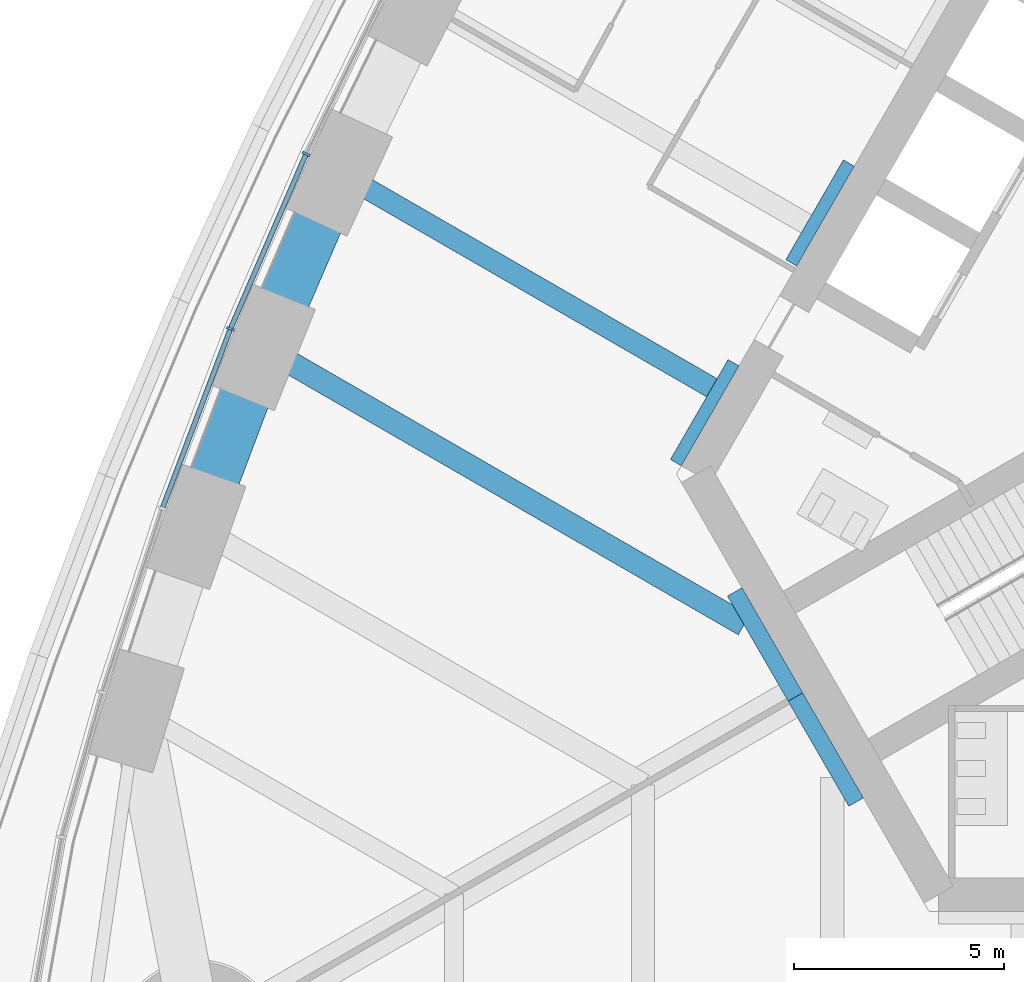
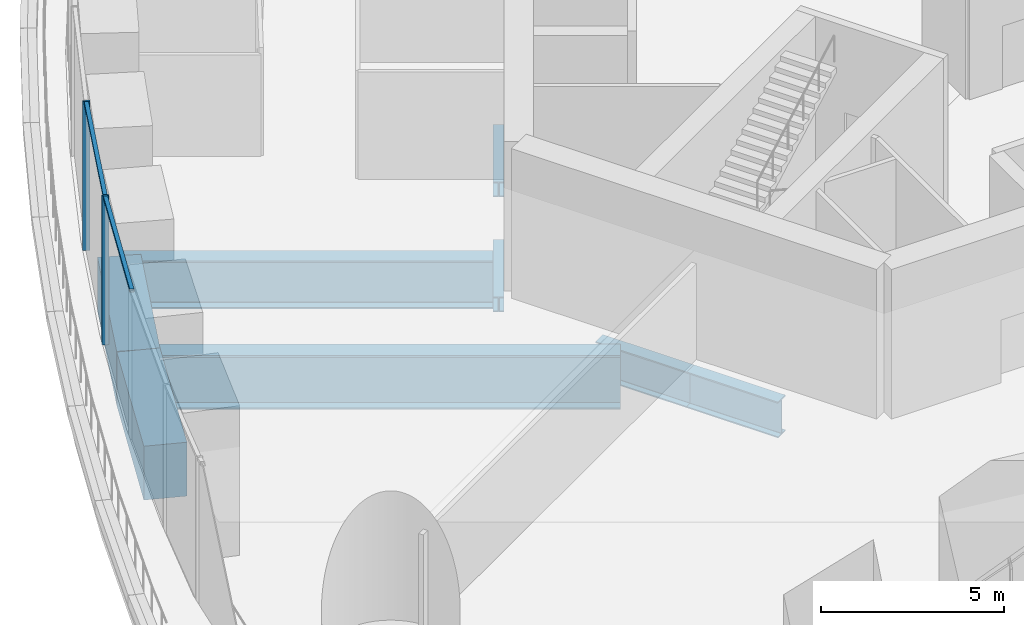
# One storey, part 3 of 31: 8 beams, 4 members, 1 element without a shape of its own.
"""IFC4 building model written with IfcOpenShell, lengths in metres."""

from ifc_helpers import new_model, si_unit, direction, frame, origin, origin_2d, place, context, subcontext, project, spatial, rectangle, i_section, extrude, material, material_profile, profile_set, type_object, element, aggregate, save


model = new_model("IFC4")

# Units and contexts
model_context = context("Model", 3, precision=1e-05, world=origin(), true_north=direction((0.0, 1.0)))
body_context = subcontext(model_context, "Body", "Model", "MODEL_VIEW")
ifc_project = project(units=[si_unit("LENGTHUNIT", "METRE"), si_unit("AREAUNIT", "SQUARE_METRE"), si_unit("VOLUMEUNIT", "CUBIC_METRE"), si_unit("PLANEANGLEUNIT", "RADIAN"), si_unit("MASSUNIT", "GRAM", prefix="KILO")], contexts=[model_context])

# Site, building, storey
site_placement = place(None, origin())
site = spatial("IfcSite", under=ifc_project, at=site_placement, CompositionType="ELEMENT")
building_placement = place(site_placement, origin())
building = spatial("IfcBuilding", under=site, at=building_placement, Name="Trefoil Bronze Tower", CompositionType="ELEMENT")
storey_placement = place(building_placement, frame((0.0, 0.0, 184.699951171875)))
storey = spatial("IfcBuildingStorey", under=building, at=storey_placement, Name="L42", CompositionType="ELEMENT", Elevation=184.699951171875)

# Curtain wall, members
ifc_material_1 = material(Name="Tinted solar-control glass", Category="glass")
curtain_wall_type = type_object("IfcCurtainWallType", Name="Bronze sky lobby curtain wall", PredefinedType="USERDEFINED", material=ifc_material_1)
curtain_wall_placement = place(storey_placement, origin())
curtain_wall = element("IfcCurtainWall", 1, at=curtain_wall_placement, inside=storey, type_object=curtain_wall_type, Name="CW-D L42 F3 run 3", ObjectType="CURTAIN WALL", PredefinedType="USERDEFINED")
ifc_material_2 = material(Name="Bronze-finish aluminium", Category="aluminium")
ifc_material_profile_1 = material_profile(ifc_material_2, rectangle(XDim=0.199951171875, YDim=0.06005859375, at=origin_2d()), Name="CW-D mullion")
ifc_profile_set_1 = profile_set([ifc_material_profile_1], Name="Bronze-finish aluminium")
member_type_1 = type_object("IfcMemberType", Name="Bronze sky lobby curtain wall mullion", PredefinedType="MULLION", material=ifc_profile_set_1)
member_1_placement = place(storey_placement, frame((-26.01318359375, 4.61572265625, 0.0), z_axis=(0.0, 0.0, 1.0), x_axis=(0.908315380354, -0.418285990457, 0.0)))
member_1 = element("IfcMember", 2, at=member_1_placement, type_object=member_type_1, Name="CW-D L42 F3 run 3 mullion 2", PredefinedType="MULLION", context=body_context, shape_type="SweptSolid", body=[
    extrude(rectangle(XDim=0.199951171875, YDim=0.06005859375, at=origin_2d()), origin(), (0.0, 0.0, 1.0), 4.97998046875),
])
member_2_placement = place(storey_placement, frame((-27.814453125, 0.454345703125, 0.0), z_axis=(0.0, 0.0, 1.0), x_axis=(0.926689348282, -0.375828221106, 0.0)))
member_2 = element("IfcMember", 3, at=member_2_placement, type_object=member_type_1, Name="CW-D L42 F3 run 3 mullion 3", PredefinedType="MULLION", context=body_context, shape_type="SweptSolid", body=[
    extrude(rectangle(XDim=0.199951171875, YDim=0.06005859375, at=origin_2d()), origin(), (0.0, 0.0, 1.0), 4.97998046875),
])
ifc_material_3 = material(Name="Bronze-finish aluminium", Category="aluminium")
ifc_material_profile_2 = material_profile(ifc_material_3, rectangle(XDim=0.1201171875, YDim=0.10009765625, at=origin_2d()), Name="CW-D transom")
ifc_profile_set_2 = profile_set([ifc_material_profile_2], Name="Bronze-finish aluminium")
member_type_2 = type_object("IfcMemberType", Name="Bronze sky lobby curtain wall transom", PredefinedType="USERDEFINED", material=ifc_profile_set_2)
member_3_placement = place(storey_placement, frame((-26.026123046875, 4.586181640625, 4.929931640625), z_axis=(-0.397179751829, -0.917740837457, 0.0), x_axis=(0.917740837457, -0.397179751829, 0.0)))
member_3 = element("IfcMember", 4, at=member_3_placement, type_object=member_type_2, Name="CW-D L42 F3 run 3 transom 2", ObjectType="TRANSOM", PredefinedType="USERDEFINED", context=body_context, shape_type="SweptSolid", body=[
    extrude(rectangle(XDim=0.1201171875, YDim=0.10009765625, at=origin_2d()), origin(), (0.0, 0.0, 1.0), 4.469970703125),
])
member_4_placement = place(storey_placement, frame((-27.825927734375, 0.424072265625, 4.929931640625), z_axis=(-0.354225624615, -0.935159989984, 0.0), x_axis=(0.935159989984, -0.354225624615, 0.0)))
member_4 = element("IfcMember", 5, at=member_4_placement, type_object=member_type_2, Name="CW-D L42 F3 run 3 transom 3", ObjectType="TRANSOM", PredefinedType="USERDEFINED", context=body_context, shape_type="SweptSolid", body=[
    extrude(rectangle(XDim=0.1201171875, YDim=0.10009765625, at=origin_2d()), origin(), (0.0, 0.0, 1.0), 4.499267578125),
])
aggregate(curtain_wall, [member_1, member_2, member_3, member_4])

# Beams
ifc_material_4 = material(Name="Steel C355", Category="steel")
ifc_material_profile_3 = material_profile(ifc_material_4, i_section(OverallWidth=0.300048828125, OverallDepth=0.5, WebThickness=0.014404296875, FlangeThickness=0.028076171875, FilletRadius=0.027099609375, at=origin_2d()), Name="HEB 500")
ifc_profile_set_3 = profile_set([ifc_material_profile_3], Name="Steel C355")
beam_type_1 = type_object("IfcBeamType", Name="Core seat beam HEB 500", PredefinedType="BEAM", material=ifc_profile_set_3)
for number, where, z_axis, x_axis, name in (
    (6, (-13.10595703125, 4.39990234375, -0.449951171875), (-0.499969057507, -0.866043267704, 0.0), (0.866043267704, -0.499969057507, 0.0), "Core seat beam F3/+1 L42"),
    (7, (-15.84814453125, -0.35009765625, -0.449951171875), (-0.500035825175, -0.866004719122, 0.0), (0.866004719122, -0.500035825175, 0.0), "Core seat beam F3/+2 L42"),
):
    element("IfcBeam", number, at=place(storey_placement, frame(where, z_axis=z_axis, x_axis=x_axis)), inside=storey, type_object=beam_type_1, Name=name, PredefinedType="BEAM", context=body_context, shape_type="SweptSolid", body=[
        extrude(i_section(OverallWidth=0.300048828125, OverallDepth=0.5, WebThickness=0.014404296875, FlangeThickness=0.028076171875, FilletRadius=0.027099609375, at=origin_2d()), origin(), (0.0, 0.0, 1.0), 2.742431640625),
    ])
ifc_material_5 = material(Name="Steel C355", Category="steel")
ifc_material_profile_4 = material_profile(ifc_material_5, i_section(OverallWidth=0.39990234375, OverallDepth=1.199951171875, WebThickness=0.02001953125, FlangeThickness=0.0400390625, FilletRadius=0.010009765625, at=origin_2d()), Name="WPG 1200")
ifc_profile_set_4 = profile_set([ifc_material_profile_4], Name="Steel C355")
beam_type_2 = type_object("IfcBeamType", Name="Core seat beam WPG 1200", PredefinedType="BEAM", material=ifc_profile_set_4)
for number, where, z_axis, x_axis, name in (
    (8, (-14.3759765625, -8.300048828125, -0.800048828125), (0.499995765644, -0.866027848477, 0.0), (0.866027848477, 0.499995765644, 0.0), "Core seat beam F1/-3 L42"),
    (9, (-15.8193359375, -5.800048828125, -0.800048828125), (0.499995765644, -0.866027848477, 0.0), (0.866027848477, 0.499995765644, 0.0), "Core seat beam F3/+3 L42"),
):
    element("IfcBeam", number, at=place(storey_placement, frame(where, z_axis=z_axis, x_axis=x_axis)), inside=storey, type_object=beam_type_2, Name=name, PredefinedType="BEAM", context=body_context, shape_type="SweptSolid", body=[
        extrude(i_section(OverallWidth=0.39990234375, OverallDepth=1.199951171875, WebThickness=0.02001953125, FlangeThickness=0.0400390625, FilletRadius=0.010009765625, at=origin_2d()), origin(), (0.0, 0.0, 1.0), 2.88671875),
    ])
ifc_material_6 = material(Name="Steel C355", Category="steel")
ifc_material_profile_5 = material_profile(ifc_material_6, i_section(OverallWidth=0.5, OverallDepth=1.60009765625, WebThickness=0.02587890625, FlangeThickness=0.050048828125, FilletRadius=0.011962890625, at=origin_2d()), Name="WPG 1600")
ifc_profile_set_5 = profile_set([ifc_material_profile_5], Name="Steel C355")
beam_type_3 = type_object("IfcBeamType", Name="Floor beam WPG 1600", PredefinedType="BEAM", material=ifc_profile_set_5)
beam_1_placement = place(storey_placement, frame((-25.2265625, 4.17236328125, -1.0), z_axis=(0.866017525653, -0.500013645076, 0.0), x_axis=(0.500013645076, 0.866017525653, 0.0)))
element("IfcBeam", 10, at=beam_1_placement, inside=storey, type_object=beam_type_3, Name="Floor beam F3/+2 L42", PredefinedType="BEAM", context=body_context, shape_type="SweptSolid", body=[
    extrude(i_section(OverallWidth=0.5, OverallDepth=1.60009765625, WebThickness=0.02587890625, FlangeThickness=0.050048828125, FilletRadius=0.011962890625, at=origin_2d()), origin(), (0.0, 0.0, 1.0), 10.233154296875),
])
ifc_material_7 = material(Name="Steel C355", Category="steel")
ifc_material_profile_6 = material_profile(ifc_material_7, i_section(OverallWidth=0.550048828125, OverallDepth=1.800048828125, WebThickness=0.029052734375, FlangeThickness=0.054931640625, FilletRadius=0.013916015625, at=origin_2d()), Name="WPG 1800")
ifc_profile_set_6 = profile_set([ifc_material_profile_6], Name="Steel C355")
beam_type_4 = type_object("IfcBeamType", Name="Floor beam WPG 1800", PredefinedType="BEAM", material=ifc_profile_set_6)
beam_2_placement = place(storey_placement, frame((-27.022216796875, 0.012939453125, -1.099853515625), z_axis=(0.866020385251, -0.500008692254, 0.0), x_axis=(0.500008692254, 0.866020385251, 0.0)))
element("IfcBeam", 11, at=beam_2_placement, inside=storey, type_object=beam_type_4, Name="Floor beam F3/+3 L42", PredefinedType="BEAM", context=body_context, shape_type="SweptSolid", body=[
    extrude(i_section(OverallWidth=0.550048828125, OverallDepth=1.800048828125, WebThickness=0.029052734375, FlangeThickness=0.054931640625, FilletRadius=0.013916015625, at=origin_2d()), origin(), (0.0, 0.0, 1.0), 13.191162109375),
])
ifc_material_8 = material(Name="Concrete B80", Category="concrete")
ifc_material_profile_7 = material_profile(ifc_material_8, rectangle(XDim=1.199951171875, YDim=1.800048828125, at=origin_2d()), Name="RC 1200x1800")
ifc_profile_set_7 = profile_set([ifc_material_profile_7], Name="Concrete B80")
beam_type_5 = type_object("IfcBeamType", Name="Spandrel beam RC 1200x1800", PredefinedType="SPANDREL", material=ifc_profile_set_7)
beam_3_placement = place(storey_placement, frame((-25.2265625, 4.17236328125, -1.099853515625), z_axis=(-0.396350337164, -0.918099346602, 0.0), x_axis=(0.918099346602, -0.396350337164, 0.0)))
element("IfcBeam", 12, at=beam_3_placement, inside=storey, type_object=beam_type_5, Name="Spandrel F3.9 L42", PredefinedType="SPANDREL", context=body_context, shape_type="SweptSolid", body=[
    extrude(rectangle(XDim=1.199951171875, YDim=1.800048828125, at=origin_2d()), origin(), (0.0, 0.0, 1.0), 4.530517578125),
])
beam_4_placement = place(storey_placement, frame((-27.022216796875, 0.012939453125, -1.099853515625), z_axis=(-0.353005969632, -0.935621069346, 0.0), x_axis=(0.935621069346, -0.353005969632, 0.0)))
element("IfcBeam", 13, at=beam_4_placement, inside=storey, type_object=beam_type_5, Name="Spandrel F3.10 L42", PredefinedType="SPANDREL", context=body_context, shape_type="SweptSolid", body=[
    extrude(rectangle(XDim=1.199951171875, YDim=1.800048828125, at=origin_2d()), origin(), (0.0, 0.0, 1.0), 4.560546875),
])

save(model, "model.ifc")
